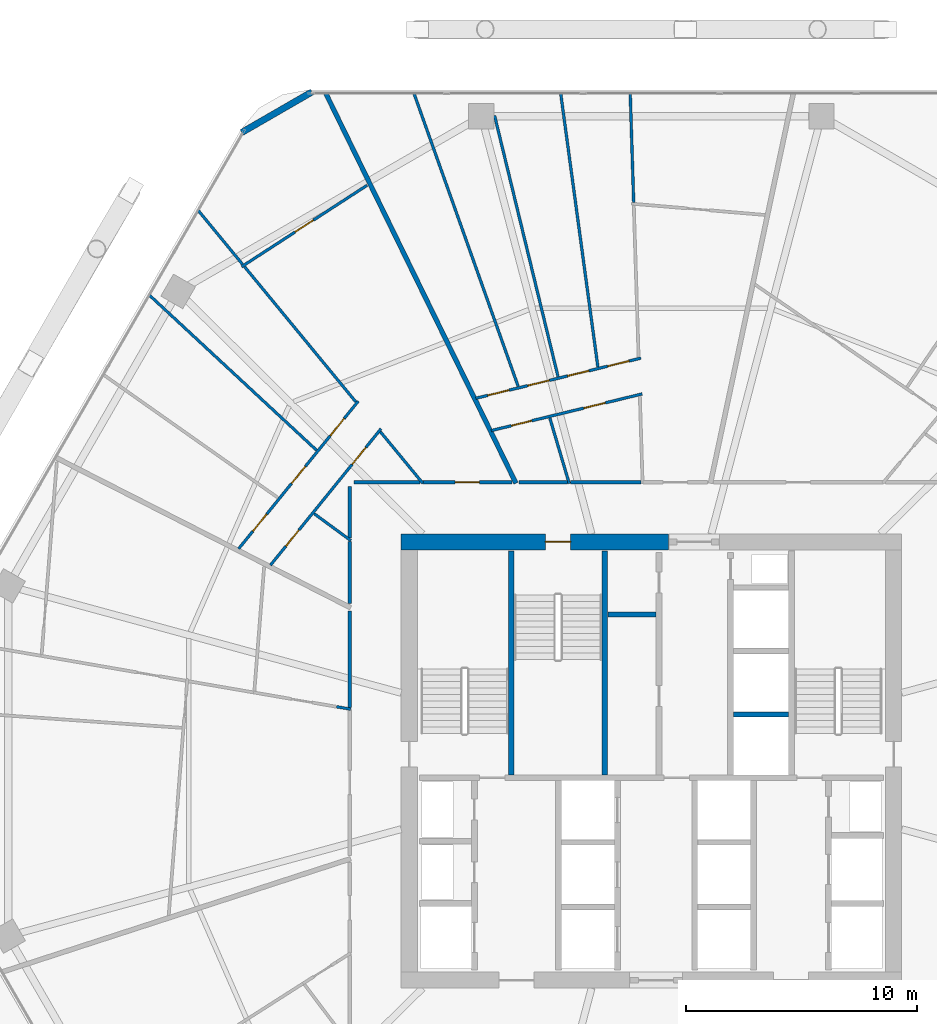
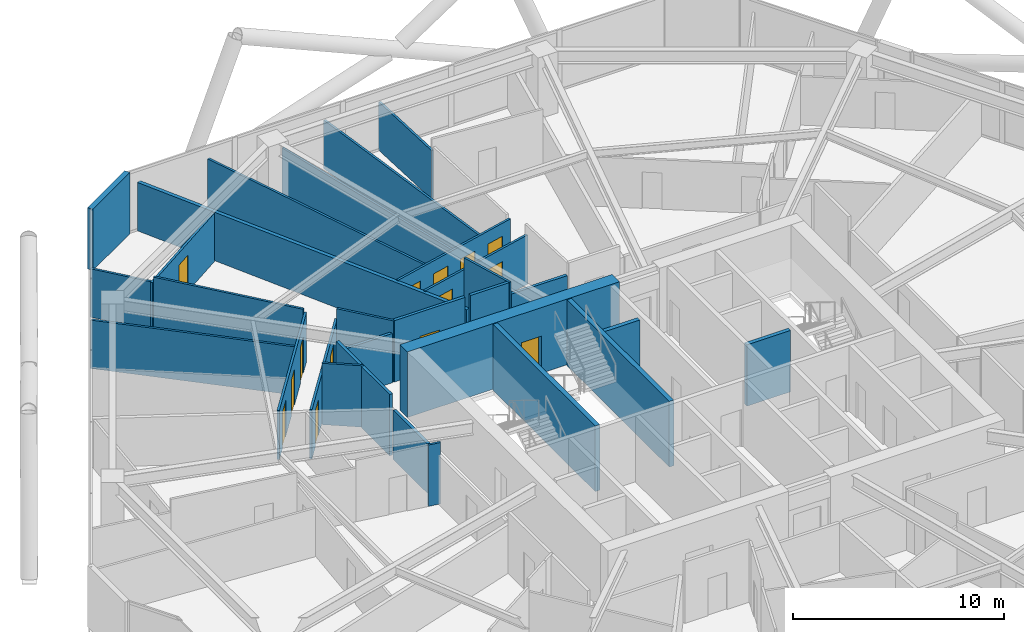
# One storey, part 30 of 35: 30 walls, 14 doors, 14 openings.
"""IFC4 building model written with IfcOpenShell, lengths in metres."""

from ifc_helpers import new_model, si_unit, direction, frame, frame_2d, origin, place, context, subcontext, project, spatial, rectangle, extrude, material, layer, layer_set, type_object, element, fill, save


model = new_model("IFC4")

# Units and contexts
model_context = context("Model", 3, precision=1e-05, world=origin(), true_north=direction((0.0, 1.0)))
body_context = subcontext(model_context, "Body", "Model", "MODEL_VIEW")
ifc_project = project(units=[si_unit("LENGTHUNIT", "METRE"), si_unit("AREAUNIT", "SQUARE_METRE"), si_unit("VOLUMEUNIT", "CUBIC_METRE"), si_unit("PLANEANGLEUNIT", "RADIAN"), si_unit("MASSUNIT", "GRAM", prefix="KILO")], contexts=[model_context])

# Site, building, storey
site_placement = place(None, origin())
site = spatial("IfcSite", under=ifc_project, at=site_placement, CompositionType="ELEMENT")
building_placement = place(site_placement, origin())
building = spatial("IfcBuilding", under=site, at=building_placement, Name="Zuhravey Tower", CompositionType="ELEMENT")
storey_placement = place(building_placement, frame((0.0, 0.0, 122.800048828125)))
storey = spatial("IfcBuildingStorey", under=building, at=storey_placement, Name="L30", CompositionType="ELEMENT", Elevation=122.800048828125)

# Wall, opening, door
ifc_material_1 = material(Name="Concrete C60/75", Category="concrete")
ifc_layer_1 = layer(ifc_material_1, 0.699951171875)
ifc_layer_set_1 = layer_set([ifc_layer_1], Name="Concrete C60/75")
wall_type_1 = type_object("IfcWallType", Name="Core Shear Wall 700", PredefinedType="SHEAR", material=ifc_layer_set_1)
wall_1_placement = place(storey_placement, frame((36.75, 41.5, 0.0), z_axis=(0.0, 0.0, 1.0), x_axis=(-1.0, 0.0, 0.0)))
wall_1 = element("IfcWall", 1, at=wall_1_placement, inside=storey, type_object=wall_type_1, Name="L30 North-West Core Shear Wall CW70", PredefinedType="SHEAR", context=body_context, shape_type="SweptSolid", body=[
    extrude(rectangle(XDim=11.60009765625, YDim=0.699951171875, at=frame_2d((5.800048828125, 0.0))), origin(), (0.0, 0.0, 1.0), 3.800048828125),
])
opening_1_placement = place(wall_1_placement, frame((4.25, 0.0, 0.0)))
opening_1 = element("IfcOpeningElement", 2, at=opening_1_placement, cuts=wall_1, Name="Opening STD1", PredefinedType="OPENING", context=body_context, shape_type="SweptSolid", body=[
    extrude(rectangle(XDim=1.10009765625, YDim=2.14990234375, at=frame_2d((0.550048828125, 1.074951171875))), frame((0.0, 0.362060546875, 0.0), z_axis=(0.0, -1.0, 0.0), x_axis=(1.0, 0.0, 0.0)), (0.0, 0.0, 1.0), 0.723876953125),
])
ifc_material_2 = material(Name="Galvanised fire-rated steel leaf", Category="steel")
door_type_1 = type_object("IfcDoorType", Name="Protected Stair Fire Door 1100x2150", OperationType="NOTDEFINED", PredefinedType="USERDEFINED", material=ifc_material_2)
door_1_placement = place(opening_1_placement, origin())
door_1 = element("IfcDoor", 3, at=door_1_placement, inside=storey, type_object=door_type_1, Name="L30 Stair ST3 Door", ObjectType="EXITDOOR", OperationType="SINGLE_SWING_RIGHT", OverallHeight=2.14990234375, OverallWidth=1.10009765625, PredefinedType="USERDEFINED", context=body_context, shape_type="SweptSolid", body=[
    extrude(rectangle(XDim=1.10009765625, YDim=2.14990234375, at=frame_2d((0.550048828125, 1.074951171875))), frame((0.0, 0.02490234375, 0.0), z_axis=(0.0, -1.0, 0.0), x_axis=(1.0, 0.0, 0.0)), (0.0, 0.0, 1.0), 0.050048828125),
])
fill(opening_1, door_1)

ifc_material_3 = material(Name="Gypsum fire-rated stud partition")
ifc_layer_2 = layer(ifc_material_3, 0.159912109375)
ifc_layer_set_2 = layer_set([ifc_layer_2], Name="Gypsum fire-rated stud partition")
wall_type_2 = type_object("IfcWallType", Name="Corridor Fire Partition 160", PredefinedType="PARTITIONING", material=ifc_layer_set_2)
wall_2_placement = place(storey_placement, frame((29.954833984375, 44.080078125, 0.0), z_axis=(0.0, 0.0, 1.0), x_axis=(-1.0, 0.0, 0.0)))
wall_2 = element("IfcWall", 4, at=wall_2_placement, inside=storey, type_object=wall_type_2, Name="L30 IW16 Partition 032", PredefinedType="PARTITIONING", context=body_context, shape_type="SweptSolid", body=[
    extrude(rectangle(XDim=3.872802734375, YDim=0.159912109375, at=frame_2d((1.9365234375, 0.0))), origin(), (0.0, 0.0, 1.0), 3.550048828125),
])
opening_2_placement = place(wall_2_placement, frame((1.411376953125, 0.0, 0.0)))
opening_2 = element("IfcOpeningElement", 5, at=opening_2_placement, cuts=wall_2, Name="Opening APD1", PredefinedType="OPENING", context=body_context, shape_type="SweptSolid", body=[
    extrude(rectangle(XDim=1.050048828125, YDim=2.14990234375, at=frame_2d((0.52490234375, 1.074951171875))), frame((0.0, 0.092041015625, 0.0), z_axis=(0.0, -1.0, 0.0), x_axis=(1.0, 0.0, 0.0)), (0.0, 0.0, 1.0), 0.183837890625),
])
ifc_material_4 = material(Name="Solid-core oak fire-rated leaf")
door_type_2 = type_object("IfcDoorType", Name="Apartment Entrance Fire Door 1050x2150", OperationType="NOTDEFINED", PredefinedType="DOOR", material=ifc_material_4)
door_2_placement = place(opening_2_placement, frame((1.050048828125, 0.0, 0.0), z_axis=(0.0, 0.0, 1.0), x_axis=(-1.0, 0.0, 0.0)))
door_2 = element("IfcDoor", 6, at=door_2_placement, inside=storey, type_object=door_type_2, Name="L30 Door 032.1", OperationType="SINGLE_SWING_RIGHT", OverallHeight=2.14990234375, OverallWidth=1.050048828125, PredefinedType="DOOR", context=body_context, shape_type="SweptSolid", body=[
    extrude(rectangle(XDim=1.050048828125, YDim=2.14990234375, at=frame_2d((0.52490234375, 1.074951171875))), frame((0.0, 0.02490234375, 0.0), z_axis=(0.0, -1.0, 0.0), x_axis=(1.0, 0.0, 0.0)), (0.0, 0.0, 1.0), 0.050048828125),
])
fill(opening_2, door_2)

# Walls
wall_3_placement = place(storey_placement, frame((35.548095703125, 44.080078125, 0.0), z_axis=(0.0, 0.0, 1.0), x_axis=(-1.0, 0.0, 0.0)))
element("IfcWall", 7, at=wall_3_placement, inside=storey, type_object=wall_type_2, Name="L30 IW16 Partition 116", PredefinedType="PARTITIONING", context=body_context, shape_type="SweptSolid", body=[
    extrude(rectangle(XDim=3.055908203125, YDim=0.159912109375, at=frame_2d((1.52783203125, 0.0))), origin(), (0.0, 0.0, 1.0), 2.849853515625),
])
wall_4_placement = place(storey_placement, frame((32.3505859375, 44.080078125, 0.0), z_axis=(0.0, 0.0, 1.0), x_axis=(-1.0, 0.0, 0.0)))
element("IfcWall", 8, at=wall_4_placement, inside=storey, type_object=wall_type_2, Name="L30 IW16 Partition 117", PredefinedType="PARTITIONING", context=body_context, shape_type="SweptSolid", body=[
    extrude(rectangle(XDim=2.09033203125, YDim=0.159912109375, at=frame_2d((1.045166015625, 0.0))), origin(), (0.0, 0.0, 1.0), 3.550048828125),
])
wall_5_placement = place(storey_placement, frame((25.968017578125, 44.080078125, 0.0), z_axis=(0.0, 0.0, 1.0), x_axis=(-1.0, 0.0, 0.0)))
element("IfcWall", 9, at=wall_5_placement, inside=storey, type_object=wall_type_2, Name="L30 IW16 Partition 118", PredefinedType="PARTITIONING", context=body_context, shape_type="SweptSolid", body=[
    extrude(rectangle(XDim=2.867919921875, YDim=0.159912109375, at=frame_2d((1.43408203125, 0.0))), origin(), (0.0, 0.0, 1.0), 2.849853515625),
])
wall_6_placement = place(storey_placement, frame((22.919921875, 43.89990234375, 0.0), z_axis=(0.0, 0.0, 1.0), x_axis=(0.0, -1.0, 0.0)))
element("IfcWall", 10, at=wall_6_placement, inside=storey, type_object=wall_type_2, Name="L30 IW16 Partition 119", PredefinedType="PARTITIONING", context=body_context, shape_type="SweptSolid", body=[
    extrude(rectangle(XDim=2.22314453125, YDim=0.159912109375, at=frame_2d((1.111572265625, 0.0))), origin(), (0.0, 0.0, 1.0), 3.550048828125),
])
wall_7_placement = place(storey_placement, frame((22.919921875, 41.508056640625, 0.0), z_axis=(0.0, 0.0, 1.0), x_axis=(0.0, -1.0, 0.0)))
element("IfcWall", 11, at=wall_7_placement, inside=storey, type_object=wall_type_2, Name="L30 IW16 Partition 120", PredefinedType="PARTITIONING", context=body_context, shape_type="SweptSolid", body=[
    extrude(rectangle(XDim=2.676513671875, YDim=0.159912109375, at=frame_2d((1.33837890625, 0.0))), origin(), (0.0, 0.0, 1.0), 3.550048828125),
])
wall_8_placement = place(storey_placement, frame((22.919921875, 38.4990234375, 0.0), z_axis=(0.0, 0.0, 1.0), x_axis=(0.0, -1.0, 0.0)))
element("IfcWall", 12, at=wall_8_placement, inside=storey, type_object=wall_type_2, Name="L30 IW16 Partition 121", PredefinedType="PARTITIONING", context=body_context, shape_type="SweptSolid", body=[
    extrude(rectangle(XDim=4.175537109375, YDim=0.159912109375, at=frame_2d((2.087890625, 0.0))), origin(), (0.0, 0.0, 1.0), 2.849853515625),
])
ifc_material_5 = material(Name="Precast concrete C40/50", Category="concrete")
ifc_layer_3 = layer(ifc_material_5, 0.280029296875)
ifc_layer_set_3 = layer_set([ifc_layer_3], Name="Precast concrete C40/50")
wall_type_3 = type_object("IfcWallType", Name="Crown Architectural Wall 280", PredefinedType="SOLIDWALL", material=ifc_layer_set_3)
wall_9_placement = place(storey_placement, frame((18.23876953125, 59.24853515625, 0.0), z_axis=(0.0, 0.0, 1.0), x_axis=(0.866007452331, 0.500031091541, 0.0)))
element("IfcWall", 13, at=wall_9_placement, inside=storey, type_object=wall_type_3, Name="L30 Rounded Corner Closure Wall EW28-08", PredefinedType="SOLIDWALL", context=body_context, shape_type="SweptSolid", body=[
    extrude(rectangle(XDim=3.514892578125, YDim=0.280029296875, at=frame_2d((1.75732421875, 0.0))), origin(), (0.0, 0.0, 1.0), 3.550048828125),
])
ifc_material_6 = material(Name="Concrete C50/60", Category="concrete")
ifc_layer_4 = layer(ifc_material_6, 0.25)
ifc_layer_set_4 = layer_set([ifc_layer_4], Name="Concrete C50/60")
wall_type_4 = type_object("IfcWallType", Name="Firefighting Shaft & Stair Wall 250", PredefinedType="SOLIDWALL", material=ifc_layer_set_4)
for number, where, z_axis, x_axis, name in (
    (14, (29.925048828125, 31.39990234375, 0.0), (0.0, 0.0, 1.0), (0.0, 1.0, 0.0), "L30 FW25 Shaft Wall 004"),
    (15, (33.97509765625, 31.39990234375, 0.0), (0.0, 0.0, 1.0), (0.0, 1.0, 0.0), "L30 FW25 Shaft Wall 005"),
):
    element("IfcWall", number, at=place(storey_placement, frame(where, z_axis=z_axis, x_axis=x_axis)), inside=storey, type_object=wall_type_4, Name=name, PredefinedType="SOLIDWALL", context=body_context, shape_type="SweptSolid", body=[
        extrude(rectangle(XDim=9.7001953125, YDim=0.25, at=frame_2d((4.85009765625, 0.0))), origin(), (0.0, 0.0, 1.0), 3.800048828125),
    ])
ifc_material_7 = material(Name="Gypsum double-stud party assembly")
ifc_layer_5 = layer(ifc_material_7, 0.199951171875)
ifc_layer_set_5 = layer_set([ifc_layer_5], Name="Gypsum double-stud party assembly")
wall_type_5 = type_object("IfcWallType", Name="Inter-Tenancy Party Wall 200", PredefinedType="PARTITIONING", material=ifc_layer_set_5)
wall_10_placement = place(storey_placement, frame((30.127685546875, 44.0400390625, 0.0), z_axis=(0.0, 0.0, 1.0), x_axis=(-0.438372268699, 0.898793499106, 0.0)))
element("IfcWall", 16, at=wall_10_placement, inside=storey, type_object=wall_type_5, Name="L30 IW20 Partition 080", PredefinedType="PARTITIONING", context=body_context, shape_type="SweptSolid", body=[
    extrude(rectangle(XDim=18.823486328125, YDim=0.199951171875, at=frame_2d((9.41162109375, 0.0))), origin(), (0.0, 0.0, 1.0), 2.800048828125),
])
ifc_material_8 = material(Name="Gypsum acoustic stud assembly")
ifc_layer_6 = layer(ifc_material_8, 0.219970703125)
ifc_layer_set_6 = layer_set([ifc_layer_6], Name="Gypsum acoustic stud assembly")
wall_type_6 = type_object("IfcWallType", Name="School Acoustic Compartment Wall 220", PredefinedType="PARTITIONING", material=ifc_layer_set_6)
wall_11_placement = place(storey_placement, frame((34.10791015625, 38.35009765625, 0.0), z_axis=(0.0, 0.0, 1.0), x_axis=(1.0, 0.0, 0.0)))
element("IfcWall", 17, at=wall_11_placement, inside=storey, type_object=wall_type_6, Name="L30 IW22 Partition 059", PredefinedType="PARTITIONING", context=body_context, shape_type="SweptSolid", body=[
    extrude(rectangle(XDim=2.083984375, YDim=0.219970703125, at=frame_2d((1.0419921875, 0.0))), origin(), (0.0, 0.0, 1.0), 3.550048828125),
])
wall_12_placement = place(storey_placement, frame((39.55810546875, 34.02490234375, 0.0), z_axis=(0.0, 0.0, 1.0), x_axis=(1.0, 0.0, 0.0)))
element("IfcWall", 18, at=wall_12_placement, inside=storey, type_object=wall_type_6, Name="L30 IW22 Partition 060", PredefinedType="PARTITIONING", context=body_context, shape_type="SweptSolid", body=[
    extrude(rectangle(XDim=2.3837890625, YDim=0.219970703125, at=frame_2d((1.19189453125, 0.0))), origin(), (0.0, 0.0, 1.0), 3.550048828125),
])

# Wall, openings, doors
ifc_material_9 = material(Name="Gypsum metal-stud partition")
ifc_layer_7 = layer(ifc_material_9, 0.1201171875)
ifc_layer_set_7 = layer_set([ifc_layer_7], Name="Gypsum metal-stud partition")
wall_type_7 = type_object("IfcWallType", Name="Unit Internal Partition 120", PredefinedType="PARTITIONING", material=ifc_layer_set_7)
wall_13_placement = place(storey_placement, frame((35.594482421875, 47.913818359375, 0.0), z_axis=(0.0, 0.0, 1.0), x_axis=(-0.971707679159, -0.236186761404, 0.0)))
wall_13 = element("IfcWall", 19, at=wall_13_placement, inside=storey, type_object=wall_type_7, Name="L30 IW12 Partition 026", PredefinedType="PARTITIONING", context=body_context, shape_type="SweptSolid", body=[
    extrude(rectangle(XDim=6.728271484375, YDim=0.1201171875, at=frame_2d((3.3642578125, 0.0))), origin(), (0.0, 0.0, 1.0), 2.849853515625),
])
opening_3_placement = place(wall_13_placement, frame((1.644287109375, 0.0, 0.0)))
opening_3 = element("IfcOpeningElement", 20, at=opening_3_placement, cuts=wall_13, Name="Opening IND1", PredefinedType="OPENING", context=body_context, shape_type="SweptSolid", body=[
    extrude(rectangle(XDim=0.949951171875, YDim=2.10009765625, at=frame_2d((0.47509765625, 1.050048828125))), frame((0.0, 0.072021484375, 0.0), z_axis=(0.0, -1.0, 0.0), x_axis=(1.0, 0.0, 0.0)), (0.0, 0.0, 1.0), 0.14404296875),
])
opening_4_placement = place(wall_13_placement, frame((4.930908203125, 0.0, 0.0)))
opening_4 = element("IfcOpeningElement", 21, at=opening_4_placement, cuts=wall_13, Name="Opening WCD1", PredefinedType="OPENING", context=body_context, shape_type="SweptSolid", body=[
    extrude(rectangle(XDim=0.89990234375, YDim=2.10009765625, at=frame_2d((0.449951171875, 1.050048828125))), frame((0.0, 0.072021484375, 0.0), z_axis=(0.0, -1.0, 0.0), x_axis=(1.0, 0.0, 0.0)), (0.0, 0.0, 1.0), 0.14404296875),
])
ifc_material_10 = material(Name="Moisture-resistant timber leaf", Category="wood")
door_type_3 = type_object("IfcDoorType", Name="Bathroom & WC Internal Door 900x2100", OperationType="NOTDEFINED", PredefinedType="DOOR", material=ifc_material_10)
door_3_placement = place(opening_4_placement, origin())
door_3 = element("IfcDoor", 22, at=door_3_placement, inside=storey, type_object=door_type_3, Name="Apartment L30-02 Bathroom Door", OperationType="SINGLE_SWING_RIGHT", OverallHeight=2.10009765625, OverallWidth=0.89990234375, PredefinedType="DOOR", context=body_context, shape_type="SweptSolid", body=[
    extrude(rectangle(XDim=0.89990234375, YDim=2.10009765625, at=frame_2d((0.449951171875, 1.050048828125))), frame((0.0, 0.02490234375, 0.0), z_axis=(0.0, -1.0, 0.0), x_axis=(1.0, 0.0, 0.0)), (0.0, 0.0, 1.0), 0.050048828125),
])
fill(opening_4, door_3)
ifc_material_11 = material(Name="Painted engineered timber leaf", Category="wood")
door_type_4 = type_object("IfcDoorType", Name="Internal Room & Bedroom Door 950x2100", OperationType="NOTDEFINED", PredefinedType="DOOR", material=ifc_material_11)
door_4_placement = place(opening_3_placement, origin())
door_4 = element("IfcDoor", 23, at=door_4_placement, inside=storey, type_object=door_type_4, Name="Apartment L30-02 Kitchen Door", OperationType="SINGLE_SWING_LEFT", OverallHeight=2.10009765625, OverallWidth=0.949951171875, PredefinedType="DOOR", context=body_context, shape_type="SweptSolid", body=[
    extrude(rectangle(XDim=0.949951171875, YDim=2.10009765625, at=frame_2d((0.47509765625, 1.050048828125))), frame((0.0, 0.02490234375, 0.0), z_axis=(0.0, -1.0, 0.0), x_axis=(1.0, 0.0, 0.0)), (0.0, 0.0, 1.0), 0.050048828125),
])
fill(opening_3, door_4)

wall_14_placement = place(storey_placement, frame((35.545166015625, 49.466064453125, 0.0), z_axis=(0.0, 0.0, 1.0), x_axis=(-0.971712641416, -0.236166345002, 0.0)))
wall_14 = element("IfcWall", 24, at=wall_14_placement, inside=storey, type_object=wall_type_7, Name="L30 IW12 Partition 027", PredefinedType="PARTITIONING", context=body_context, shape_type="SweptSolid", body=[
    extrude(rectangle(XDim=7.365478515625, YDim=0.1201171875, at=frame_2d((3.6826171875, 0.0))), origin(), (0.0, 0.0, 1.0), 2.849853515625),
])
opening_5_placement = place(wall_14_placement, frame((0.531005859375, 0.0, 0.0)))
opening_5 = element("IfcOpeningElement", 25, at=opening_5_placement, cuts=wall_14, Name="Opening IND1", PredefinedType="OPENING", context=body_context, shape_type="SweptSolid", body=[
    extrude(rectangle(XDim=0.949951171875, YDim=2.10009765625, at=frame_2d((0.47509765625, 1.050048828125))), frame((0.0, 0.072021484375, 0.0), z_axis=(0.0, -1.0, 0.0), x_axis=(1.0, 0.0, 0.0)), (0.0, 0.0, 1.0), 0.14404296875),
])
opening_6_placement = place(wall_14_placement, frame((2.322021484375, 0.0, 0.0)))
opening_6 = element("IfcOpeningElement", 26, at=opening_6_placement, cuts=wall_14, Name="Opening IND1", PredefinedType="OPENING", context=body_context, shape_type="SweptSolid", body=[
    extrude(rectangle(XDim=0.949951171875, YDim=2.10009765625, at=frame_2d((0.47509765625, 1.050048828125))), frame((0.0, 0.072021484375, 0.0), z_axis=(0.0, -1.0, 0.0), x_axis=(1.0, 0.0, 0.0)), (0.0, 0.0, 1.0), 0.14404296875),
])
opening_7_placement = place(wall_14_placement, frame((4.093505859375, 0.0, 0.0)))
opening_7 = element("IfcOpeningElement", 27, at=opening_7_placement, cuts=wall_14, Name="Opening IND1", PredefinedType="OPENING", context=body_context, shape_type="SweptSolid", body=[
    extrude(rectangle(XDim=0.949951171875, YDim=2.10009765625, at=frame_2d((0.47509765625, 1.050048828125))), frame((0.0, 0.072021484375, 0.0), z_axis=(0.0, -1.0, 0.0), x_axis=(1.0, 0.0, 0.0)), (0.0, 0.0, 1.0), 0.14404296875),
])
opening_8_placement = place(wall_14_placement, frame((5.884521484375, 0.0, 0.0)))
opening_8 = element("IfcOpeningElement", 28, at=opening_8_placement, cuts=wall_14, Name="Opening IND1", PredefinedType="OPENING", context=body_context, shape_type="SweptSolid", body=[
    extrude(rectangle(XDim=0.949951171875, YDim=2.10009765625, at=frame_2d((0.47509765625, 1.050048828125))), frame((0.0, 0.072021484375, 0.0), z_axis=(0.0, -1.0, 0.0), x_axis=(1.0, 0.0, 0.0)), (0.0, 0.0, 1.0), 0.14404296875),
])
door_5_placement = place(opening_5_placement, frame((0.949951171875, 0.0, 0.0), z_axis=(0.0, 0.0, 1.0), x_axis=(-1.0, 0.0, 0.0)))
door_5 = element("IfcDoor", 29, at=door_5_placement, inside=storey, type_object=door_type_4, Name="Apartment L30-02 Bedroom 1 Door", OperationType="SINGLE_SWING_LEFT", OverallHeight=2.10009765625, OverallWidth=0.949951171875, PredefinedType="DOOR", context=body_context, shape_type="SweptSolid", body=[
    extrude(rectangle(XDim=0.949951171875, YDim=2.10009765625, at=frame_2d((0.47509765625, 1.050048828125))), frame((0.0, 0.02490234375, 0.0), z_axis=(0.0, -1.0, 0.0), x_axis=(1.0, 0.0, 0.0)), (0.0, 0.0, 1.0), 0.050048828125),
])
fill(opening_5, door_5)
door_6_placement = place(opening_6_placement, frame((0.949951171875, 0.0, 0.0), z_axis=(0.0, 0.0, 1.0), x_axis=(-1.0, 0.0, 0.0)))
door_6 = element("IfcDoor", 30, at=door_6_placement, inside=storey, type_object=door_type_4, Name="Apartment L30-02 Bedroom 2 Door", OperationType="SINGLE_SWING_RIGHT", OverallHeight=2.10009765625, OverallWidth=0.949951171875, PredefinedType="DOOR", context=body_context, shape_type="SweptSolid", body=[
    extrude(rectangle(XDim=0.949951171875, YDim=2.10009765625, at=frame_2d((0.47509765625, 1.050048828125))), frame((0.0, 0.02490234375, 0.0), z_axis=(0.0, -1.0, 0.0), x_axis=(1.0, 0.0, 0.0)), (0.0, 0.0, 1.0), 0.050048828125),
])
fill(opening_6, door_6)
door_7_placement = place(opening_7_placement, frame((0.949951171875, 0.0, 0.0), z_axis=(0.0, 0.0, 1.0), x_axis=(-1.0, 0.0, 0.0)))
door_7 = element("IfcDoor", 31, at=door_7_placement, inside=storey, type_object=door_type_4, Name="Apartment L30-02 Bedroom 3 Door", OperationType="SINGLE_SWING_LEFT", OverallHeight=2.10009765625, OverallWidth=0.949951171875, PredefinedType="DOOR", context=body_context, shape_type="SweptSolid", body=[
    extrude(rectangle(XDim=0.949951171875, YDim=2.10009765625, at=frame_2d((0.47509765625, 1.050048828125))), frame((0.0, 0.02490234375, 0.0), z_axis=(0.0, -1.0, 0.0), x_axis=(1.0, 0.0, 0.0)), (0.0, 0.0, 1.0), 0.050048828125),
])
fill(opening_7, door_7)
door_8_placement = place(opening_8_placement, frame((0.949951171875, 0.0, 0.0), z_axis=(0.0, 0.0, 1.0), x_axis=(-1.0, 0.0, 0.0)))
door_8 = element("IfcDoor", 32, at=door_8_placement, inside=storey, type_object=door_type_4, Name="Apartment L30-02 Bedroom 4 Door", OperationType="SINGLE_SWING_RIGHT", OverallHeight=2.10009765625, OverallWidth=0.949951171875, PredefinedType="DOOR", context=body_context, shape_type="SweptSolid", body=[
    extrude(rectangle(XDim=0.949951171875, YDim=2.10009765625, at=frame_2d((0.47509765625, 1.050048828125))), frame((0.0, 0.02490234375, 0.0), z_axis=(0.0, -1.0, 0.0), x_axis=(1.0, 0.0, 0.0)), (0.0, 0.0, 1.0), 0.050048828125),
])
fill(opening_8, door_8)

# Wall, opening, door
wall_15_placement = place(storey_placement, frame((23.668701171875, 56.956787109375, 0.0), z_axis=(0.0, 0.0, 1.0), x_axis=(-0.838859022157, -0.544348731005, 0.0)))
wall_15 = element("IfcWall", 33, at=wall_15_placement, inside=storey, type_object=wall_type_7, Name="L30 IW12 Partition 029", PredefinedType="PARTITIONING", context=body_context, shape_type="SweptSolid", body=[
    extrude(rectangle(XDim=6.481689453125, YDim=0.1201171875, at=frame_2d((3.24072265625, 0.0))), origin(), (0.0, 0.0, 1.0), 2.800048828125),
])
opening_9_placement = place(wall_15_placement, frame((2.765869140625, 0.0, 0.0)))
opening_9 = element("IfcOpeningElement", 34, at=opening_9_placement, cuts=wall_15, Name="Opening IND1", PredefinedType="OPENING", context=body_context, shape_type="SweptSolid", body=[
    extrude(rectangle(XDim=0.949951171875, YDim=2.10009765625, at=frame_2d((0.47509765625, 1.050048828125))), frame((0.0, 0.072021484375, 0.0), z_axis=(0.0, -1.0, 0.0), x_axis=(1.0, 0.0, 0.0)), (0.0, 0.0, 1.0), 0.14404296875),
])
door_9_placement = place(opening_9_placement, frame((0.949951171875, 0.0, 0.0), z_axis=(0.0, 0.0, 1.0), x_axis=(-1.0, 0.0, 0.0)))
door_9 = element("IfcDoor", 35, at=door_9_placement, inside=storey, type_object=door_type_4, Name="Apartment L30-03 Family Study Door", OperationType="SINGLE_SWING_RIGHT", OverallHeight=2.10009765625, OverallWidth=0.949951171875, PredefinedType="DOOR", context=body_context, shape_type="SweptSolid", body=[
    extrude(rectangle(XDim=0.949951171875, YDim=2.10009765625, at=frame_2d((0.47509765625, 1.050048828125))), frame((0.0, 0.02490234375, 0.0), z_axis=(0.0, -1.0, 0.0), x_axis=(1.0, 0.0, 0.0)), (0.0, 0.0, 1.0), 0.050048828125),
])
fill(opening_9, door_9)

# Wall, openings, doors
wall_16_placement = place(storey_placement, frame((24.274658203125, 46.401611328125, 0.0), z_axis=(0.0, 0.0, 1.0), x_axis=(-0.629602187024, -0.776917682959, 0.0)))
wall_16 = element("IfcWall", 36, at=wall_16_placement, inside=storey, type_object=wall_type_7, Name="L30 IW12 Partition 030", PredefinedType="PARTITIONING", context=body_context, shape_type="SweptSolid", body=[
    extrude(rectangle(XDim=7.613525390625, YDim=0.1201171875, at=frame_2d((3.806640625, 0.0))), origin(), (0.0, 0.0, 1.0), 2.849853515625),
])
opening_10_placement = place(wall_16_placement, frame((1.038330078125, 0.0, 0.0)))
opening_10 = element("IfcOpeningElement", 37, at=opening_10_placement, cuts=wall_16, Name="Opening IND1", PredefinedType="OPENING", context=body_context, shape_type="SweptSolid", body=[
    extrude(rectangle(XDim=0.949951171875, YDim=2.10009765625, at=frame_2d((0.47509765625, 1.050048828125))), frame((0.0, 0.072021484375, 0.0), z_axis=(0.0, -1.0, 0.0), x_axis=(1.0, 0.0, 0.0)), (0.0, 0.0, 1.0), 0.14404296875),
])
opening_11_placement = place(wall_16_placement, frame((5.648193359375, 0.0, 0.0)))
opening_11 = element("IfcOpeningElement", 38, at=opening_11_placement, cuts=wall_16, Name="Opening WCD1", PredefinedType="OPENING", context=body_context, shape_type="SweptSolid", body=[
    extrude(rectangle(XDim=0.89990234375, YDim=2.10009765625, at=frame_2d((0.449951171875, 1.050048828125))), frame((0.0, 0.072021484375, 0.0), z_axis=(0.0, -1.0, 0.0), x_axis=(1.0, 0.0, 0.0)), (0.0, 0.0, 1.0), 0.14404296875),
])
door_10_placement = place(opening_11_placement, origin())
door_10 = element("IfcDoor", 39, at=door_10_placement, inside=storey, type_object=door_type_3, Name="Apartment L30-03 Bathroom Door", OperationType="SINGLE_SWING_RIGHT", OverallHeight=2.10009765625, OverallWidth=0.89990234375, PredefinedType="DOOR", context=body_context, shape_type="SweptSolid", body=[
    extrude(rectangle(XDim=0.89990234375, YDim=2.10009765625, at=frame_2d((0.449951171875, 1.050048828125))), frame((0.0, 0.02490234375, 0.0), z_axis=(0.0, -1.0, 0.0), x_axis=(1.0, 0.0, 0.0)), (0.0, 0.0, 1.0), 0.050048828125),
])
fill(opening_11, door_10)
door_11_placement = place(opening_10_placement, origin())
door_11 = element("IfcDoor", 40, at=door_11_placement, inside=storey, type_object=door_type_4, Name="Apartment L30-03 Kitchen Door", OperationType="SINGLE_SWING_LEFT", OverallHeight=2.10009765625, OverallWidth=0.949951171875, PredefinedType="DOOR", context=body_context, shape_type="SweptSolid", body=[
    extrude(rectangle(XDim=0.949951171875, YDim=2.10009765625, at=frame_2d((0.47509765625, 1.050048828125))), frame((0.0, 0.02490234375, 0.0), z_axis=(0.0, -1.0, 0.0), x_axis=(1.0, 0.0, 0.0)), (0.0, 0.0, 1.0), 0.050048828125),
])
fill(opening_10, door_11)

wall_17_placement = place(storey_placement, frame((23.288818359375, 47.599365234375, 0.0), z_axis=(0.0, 0.0, 1.0), x_axis=(-0.629618678783, -0.776904318001, 0.0)))
wall_17 = element("IfcWall", 41, at=wall_17_placement, inside=storey, type_object=wall_type_7, Name="L30 IW12 Partition 031", PredefinedType="PARTITIONING", context=body_context, shape_type="SweptSolid", body=[
    extrude(rectangle(XDim=8.2333984375, YDim=0.1201171875, at=frame_2d((4.11669921875, 0.0))), origin(), (0.0, 0.0, 1.0), 2.849853515625),
])
opening_12_placement = place(wall_17_placement, frame((0.972412109375, 0.0, 0.0)))
opening_12 = element("IfcOpeningElement", 42, at=opening_12_placement, cuts=wall_17, Name="Opening IND1", PredefinedType="OPENING", context=body_context, shape_type="SweptSolid", body=[
    extrude(rectangle(XDim=0.949951171875, YDim=2.10009765625, at=frame_2d((0.47509765625, 1.050048828125))), frame((0.0, 0.072021484375, 0.0), z_axis=(0.0, -1.0, 0.0), x_axis=(1.0, 0.0, 0.0)), (0.0, 0.0, 1.0), 0.14404296875),
])
opening_13_placement = place(wall_17_placement, frame((3.6416015625, 0.0, 0.0)))
opening_13 = element("IfcOpeningElement", 43, at=opening_13_placement, cuts=wall_17, Name="Opening IND1", PredefinedType="OPENING", context=body_context, shape_type="SweptSolid", body=[
    extrude(rectangle(XDim=0.949951171875, YDim=2.10009765625, at=frame_2d((0.47509765625, 1.050048828125))), frame((0.0, 0.072021484375, 0.0), z_axis=(0.0, -1.0, 0.0), x_axis=(1.0, 0.0, 0.0)), (0.0, 0.0, 1.0), 0.14404296875),
])
opening_14_placement = place(wall_17_placement, frame((6.31103515625, 0.0, 0.0)))
opening_14 = element("IfcOpeningElement", 44, at=opening_14_placement, cuts=wall_17, Name="Opening IND1", PredefinedType="OPENING", context=body_context, shape_type="SweptSolid", body=[
    extrude(rectangle(XDim=0.949951171875, YDim=2.10009765625, at=frame_2d((0.47509765625, 1.050048828125))), frame((0.0, 0.072021484375, 0.0), z_axis=(0.0, -1.0, 0.0), x_axis=(1.0, 0.0, 0.0)), (0.0, 0.0, 1.0), 0.14404296875),
])
door_12_placement = place(opening_12_placement, frame((0.949951171875, 0.0, 0.0), z_axis=(0.0, 0.0, 1.0), x_axis=(-1.0, 0.0, 0.0)))
door_12 = element("IfcDoor", 45, at=door_12_placement, inside=storey, type_object=door_type_4, Name="Apartment L30-03 Bedroom 1 Door", OperationType="SINGLE_SWING_LEFT", OverallHeight=2.10009765625, OverallWidth=0.949951171875, PredefinedType="DOOR", context=body_context, shape_type="SweptSolid", body=[
    extrude(rectangle(XDim=0.949951171875, YDim=2.10009765625, at=frame_2d((0.47509765625, 1.050048828125))), frame((0.0, 0.02490234375, 0.0), z_axis=(0.0, -1.0, 0.0), x_axis=(1.0, 0.0, 0.0)), (0.0, 0.0, 1.0), 0.050048828125),
])
fill(opening_12, door_12)
door_13_placement = place(opening_13_placement, frame((0.949951171875, 0.0, 0.0), z_axis=(0.0, 0.0, 1.0), x_axis=(-1.0, 0.0, 0.0)))
door_13 = element("IfcDoor", 46, at=door_13_placement, inside=storey, type_object=door_type_4, Name="Apartment L30-03 Bedroom 2 Door", OperationType="SINGLE_SWING_RIGHT", OverallHeight=2.10009765625, OverallWidth=0.949951171875, PredefinedType="DOOR", context=body_context, shape_type="SweptSolid", body=[
    extrude(rectangle(XDim=0.949951171875, YDim=2.10009765625, at=frame_2d((0.47509765625, 1.050048828125))), frame((0.0, 0.02490234375, 0.0), z_axis=(0.0, -1.0, 0.0), x_axis=(1.0, 0.0, 0.0)), (0.0, 0.0, 1.0), 0.050048828125),
])
fill(opening_13, door_13)
door_14_placement = place(opening_14_placement, frame((0.949951171875, 0.0, 0.0), z_axis=(0.0, 0.0, 1.0), x_axis=(-1.0, 0.0, 0.0)))
door_14 = element("IfcDoor", 47, at=door_14_placement, inside=storey, type_object=door_type_4, Name="Apartment L30-03 Bedroom 3 Door", OperationType="SINGLE_SWING_LEFT", OverallHeight=2.10009765625, OverallWidth=0.949951171875, PredefinedType="DOOR", context=body_context, shape_type="SweptSolid", body=[
    extrude(rectangle(XDim=0.949951171875, YDim=2.10009765625, at=frame_2d((0.47509765625, 1.050048828125))), frame((0.0, 0.02490234375, 0.0), z_axis=(0.0, -1.0, 0.0), x_axis=(1.0, 0.0, 0.0)), (0.0, 0.0, 1.0), 0.050048828125),
])
fill(opening_14, door_14)

# Walls
wall_18_placement = place(storey_placement, frame((32.436279296875, 44.030029296875, 0.0), z_axis=(0.0, 0.0, 1.0), x_axis=(-0.284043451939, 0.958811408678, 0.0)))
element("IfcWall", 48, at=wall_18_placement, inside=storey, type_object=wall_type_7, Name="L30 IW12 Partition 073", PredefinedType="PARTITIONING", context=body_context, shape_type="SweptSolid", body=[
    extrude(rectangle(XDim=2.963623046875, YDim=0.1201171875, at=frame_2d((1.48193359375, 0.0))), origin(), (0.0, 0.0, 1.0), 3.550048828125),
])
wall_19_placement = place(storey_placement, frame((33.67822265625, 49.082275390625, 0.0), z_axis=(0.0, 0.0, 1.0), x_axis=(-0.134673606825, 0.990890013889, 0.0)))
element("IfcWall", 49, at=wall_19_placement, inside=storey, type_object=wall_type_7, Name="L30 IW12 Partition 074", PredefinedType="PARTITIONING", context=body_context, shape_type="SweptSolid", body=[
    extrude(rectangle(XDim=11.99560546875, YDim=0.1201171875, at=frame_2d((5.997802734375, 0.0))), origin(), (0.0, 0.0, 1.0), 2.800048828125),
])
wall_20_placement = place(storey_placement, frame((31.950439453125, 48.662353515625, 0.0), z_axis=(0.0, 0.0, 1.0), x_axis=(-0.236162753776, 0.971713514226, 0.0)))
element("IfcWall", 50, at=wall_20_placement, inside=storey, type_object=wall_type_7, Name="L30 IW12 Partition 075", PredefinedType="PARTITIONING", context=body_context, shape_type="SweptSolid", body=[
    extrude(rectangle(XDim=11.646484375, YDim=0.1201171875, at=frame_2d((5.8232421875, 0.0))), origin(), (0.0, 0.0, 1.0), 2.800048828125),
])
wall_21_placement = place(storey_placement, frame((30.22265625, 48.242431640625, 0.0), z_axis=(0.0, 0.0, 1.0), x_axis=(-0.335110936566, 0.942178677425, 0.0)))
element("IfcWall", 51, at=wall_21_placement, inside=storey, type_object=wall_type_7, Name="L30 IW12 Partition 076", PredefinedType="PARTITIONING", context=body_context, shape_type="SweptSolid", body=[
    extrude(rectangle(XDim=13.507080078125, YDim=0.1201171875, at=frame_2d((6.75341796875, 0.0))), origin(), (0.0, 0.0, 1.0), 2.800048828125),
])
wall_22_placement = place(storey_placement, frame((35.230224609375, 56.22265625, 0.0), z_axis=(0.0, 0.0, 1.0), x_axis=(-0.031724339577, 0.999496656462, 0.0)))
element("IfcWall", 52, at=wall_22_placement, inside=storey, type_object=wall_type_7, Name="L30 IW12 Partition 079", PredefinedType="PARTITIONING", context=body_context, shape_type="SweptSolid", body=[
    extrude(rectangle(XDim=4.748291015625, YDim=0.1201171875, at=frame_2d((2.3740234375, 0.0))), origin(), (0.0, 0.0, 1.0), 2.800048828125),
])
wall_23_placement = place(storey_placement, frame((22.969970703125, 41.555908203125, 0.0), z_axis=(0.0, 0.0, 1.0), x_axis=(-0.806432554287, 0.591326082113, 0.0)))
element("IfcWall", 53, at=wall_23_placement, inside=storey, type_object=wall_type_7, Name="L30 IW12 Partition 081", PredefinedType="PARTITIONING", context=body_context, shape_type="SweptSolid", body=[
    extrude(rectangle(XDim=1.971435546875, YDim=0.1201171875, at=frame_2d((0.98583984375, 0.0))), origin(), (0.0, 0.0, 1.0), 3.550048828125),
])
wall_24_placement = place(storey_placement, frame((21.479248046875, 45.474609375, 0.0), z_axis=(0.0, 0.0, 1.0), x_axis=(-0.733013816474, 0.680213749389, 0.0)))
element("IfcWall", 54, at=wall_24_placement, inside=storey, type_object=wall_type_7, Name="L30 IW12 Partition 082", PredefinedType="PARTITIONING", context=body_context, shape_type="SweptSolid", body=[
    extrude(rectangle(XDim=9.904296875, YDim=0.1201171875, at=frame_2d((4.9521484375, 0.0))), origin(), (0.0, 0.0, 1.0), 2.800048828125),
])
wall_25_placement = place(storey_placement, frame((26.08203125, 44.048583984375, 0.0), z_axis=(0.0, 0.0, 1.0), x_axis=(-0.635546545523, 0.772062554767, 0.0)))
element("IfcWall", 55, at=wall_25_placement, inside=storey, type_object=wall_type_7, Name="L30 IW12 Partition 084", PredefinedType="PARTITIONING", context=body_context, shape_type="SweptSolid", body=[
    extrude(rectangle(XDim=2.875732421875, YDim=0.1201171875, at=frame_2d((1.43798828125, 0.0))), origin(), (0.0, 0.0, 1.0), 3.550048828125),
])
wall_26_placement = place(storey_placement, frame((23.180419921875, 47.57373046875, 0.0), z_axis=(0.0, 0.0, 1.0), x_axis=(-0.635541406611, 0.772066784989, 0.0)))
element("IfcWall", 56, at=wall_26_placement, inside=storey, type_object=wall_type_7, Name="L30 IW12 Partition 085", PredefinedType="PARTITIONING", context=body_context, shape_type="SweptSolid", body=[
    extrude(rectangle(XDim=7.585693359375, YDim=0.1201171875, at=frame_2d((3.79296875, 0.0))), origin(), (0.0, 0.0, 1.0), 3.099853515625),
])
wall_27_placement = place(storey_placement, frame((18.272216796875, 53.535888671875, 0.0), z_axis=(0.0, 0.0, 1.0), x_axis=(-0.635518574301, 0.772085579271, 0.0)))
element("IfcWall", 57, at=wall_27_placement, inside=storey, type_object=wall_type_7, Name="L30 IW12 Partition 086", PredefinedType="PARTITIONING", context=body_context, shape_type="SweptSolid", body=[
    extrude(rectangle(XDim=3.0390625, YDim=0.1201171875, at=frame_2d((1.51953125, 0.0))), origin(), (0.0, 0.0, 1.0), 2.800048828125),
])
wall_28_placement = place(storey_placement, frame((22.964599609375, 34.246826171875, 0.0), z_axis=(0.0, 0.0, 1.0), x_axis=(-0.985457855144, 0.169920027466, 0.0)))
element("IfcWall", 58, at=wall_28_placement, inside=storey, type_object=wall_type_7, Name="L30 IW12 Partition 089", PredefinedType="PARTITIONING", context=body_context, shape_type="SweptSolid", body=[
    extrude(rectangle(XDim=0.62353515625, YDim=0.1201171875, at=frame_2d((0.311767578125, 0.0))), origin(), (0.0, 0.0, 1.0), 3.550048828125),
])

save(model, "model.ifc")
